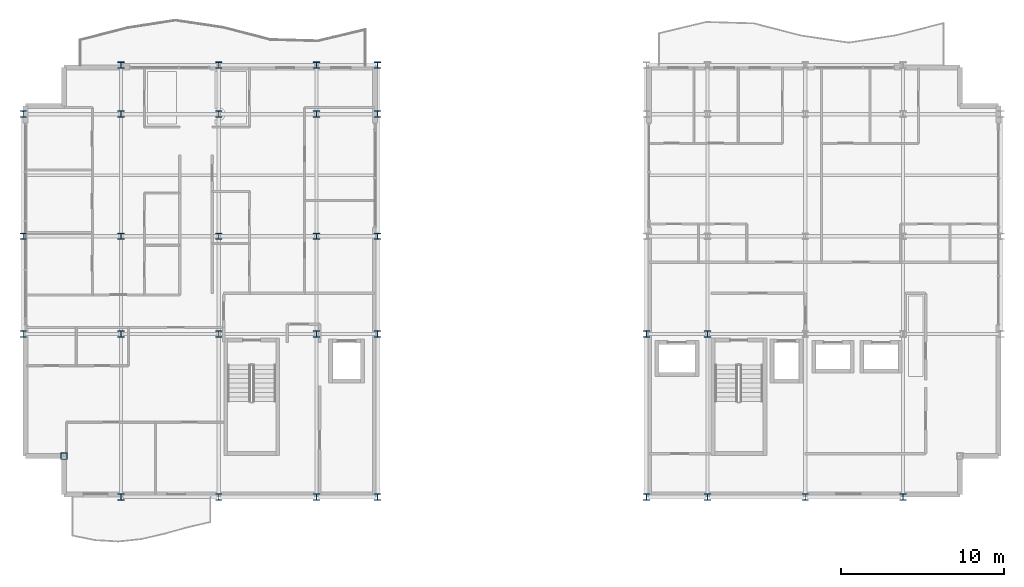
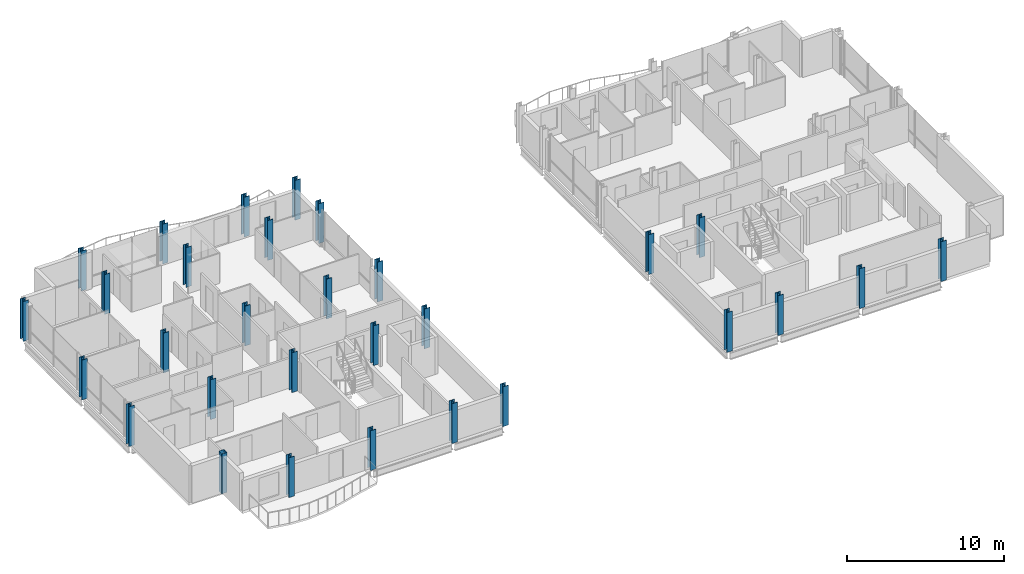
# One storey, part 1 of 27: 30 columns.
"""IFC4 building model written with IfcOpenShell, lengths in metres."""

from ifc_helpers import new_model, si_unit, direction, frame, origin, origin_2d, place, context, subcontext, project, spatial, hollow_rectangle, i_section, extrude, material, material_profile, profile_set, type_object, element, save


model = new_model("IFC4")

# Units and contexts
model_context = context("Model", 3, precision=1e-05, world=origin(), true_north=direction((0.0, 1.0)))
body_context = subcontext(model_context, "Body", "Model", "MODEL_VIEW")
ifc_project = project(units=[si_unit("LENGTHUNIT", "METRE"), si_unit("AREAUNIT", "SQUARE_METRE"), si_unit("VOLUMEUNIT", "CUBIC_METRE"), si_unit("PLANEANGLEUNIT", "RADIAN"), si_unit("MASSUNIT", "GRAM", prefix="KILO")], contexts=[model_context])

# Site, building, storey
site_placement = place(None, origin())
site = spatial("IfcSite", under=ifc_project, at=site_placement, CompositionType="ELEMENT")
building_placement = place(site_placement, origin())
building = spatial("IfcBuilding", under=site, at=building_placement, Name="Brevholm Reach", CompositionType="ELEMENT")
storey_placement = place(building_placement, frame((0.0, 0.0, 195.60009765625)))
storey = spatial("IfcBuildingStorey", under=building, at=storey_placement, Name="L59", CompositionType="ELEMENT", Elevation=195.60009765625)

# Columns
ifc_material_1 = material(Name="Structural Steel S460NH", Category="steel")
ifc_material_profile_1 = material_profile(ifc_material_1, hollow_rectangle(XDim=0.39990234375, YDim=0.39990234375, WallThickness=0.02001953125, InnerFilletRadius=0.011962890625, OuterFilletRadius=0.02392578125, at=origin_2d()), Name="SHS 400x400x20")
ifc_profile_set_1 = profile_set([ifc_material_profile_1], Name="Structural Steel S460NH")
column_type_1 = type_object("IfcColumnType", Name="COL-SHS2", PredefinedType="COLUMN", material=ifc_profile_set_1)
column_placement = place(storey_placement, frame((2.5, 2.5, 0.0), z_axis=(0.0, 0.0, 1.0), x_axis=(1.0, 0.0, 0.0)))
element("IfcColumn", 1, at=column_placement, inside=storey, type_object=column_type_1, Name="L59 Column 04", PredefinedType="COLUMN", context=body_context, shape_type="SweptSolid", body=[
    extrude(hollow_rectangle(XDim=0.39990234375, YDim=0.39990234375, WallThickness=0.02001953125, InnerFilletRadius=0.011962890625, OuterFilletRadius=0.02392578125, at=origin_2d()), origin(), (0.0, 0.0, 1.0), 3.099853515625),
])
ifc_material_2 = material(Name="Structural Steel S355J2", Category="steel")
ifc_material_profile_2 = material_profile(ifc_material_2, i_section(OverallWidth=0.39892578125, OverallDepth=0.3935546875, WebThickness=0.022705078125, FlangeThickness=0.03662109375, FilletRadius=0.01513671875, at=origin_2d()), Name="UKC 356x406x287")
ifc_profile_set_2 = profile_set([ifc_material_profile_2], Name="Structural Steel S355J2")
column_type_2 = type_object("IfcColumnType", Name="COL-UC5B", PredefinedType="COLUMN", material=ifc_profile_set_2)
for number, where, z_axis, x_axis, name in (
    (2, (0.0, 10.0, 0.0), (0.0, 0.0, 1.0), (1.0, 0.0, 0.0), "L59 Column 01"),
    (3, (0.0, 16.0, 0.0), (0.0, 0.0, 1.0), (1.0, 0.0, 0.0), "L59 Column 02"),
    (4, (0.0, 23.5, 0.0), (0.0, 0.0, 1.0), (1.0, 0.0, 0.0), "L59 Column 03"),
    (5, (6.0, 0.0, 0.0), (0.0, 0.0, 1.0), (1.0, 0.0, 0.0), "L59 Column 05"),
    (6, (6.0, 10.0, 0.0), (0.0, 0.0, 1.0), (1.0, 0.0, 0.0), "L59 Column 06"),
    (7, (6.0, 16.0, 0.0), (0.0, 0.0, 1.0), (1.0, 0.0, 0.0), "L59 Column 07"),
    (8, (6.0, 23.5, 0.0), (0.0, 0.0, 1.0), (1.0, 0.0, 0.0), "L59 Column 08"),
    (9, (6.0, 26.5, 0.0), (0.0, 0.0, 1.0), (1.0, 0.0, 0.0), "L59 Column 09"),
    (10, (12.0, 0.0, 0.0), (0.0, 0.0, 1.0), (1.0, 0.0, 0.0), "L59 Column 10"),
    (11, (12.0, 10.0, 0.0), (0.0, 0.0, 1.0), (1.0, 0.0, 0.0), "L59 Column 11"),
    (12, (12.0, 16.0, 0.0), (0.0, 0.0, 1.0), (1.0, 0.0, 0.0), "L59 Column 12"),
    (13, (12.0, 23.5, 0.0), (0.0, 0.0, 1.0), (1.0, 0.0, 0.0), "L59 Column 13"),
    (14, (12.0, 26.5, 0.0), (0.0, 0.0, 1.0), (1.0, 0.0, 0.0), "L59 Column 14"),
    (15, (18.0, 0.0, 0.0), (0.0, 0.0, 1.0), (1.0, 0.0, 0.0), "L59 Column 15"),
    (16, (18.0, 10.0, 0.0), (0.0, 0.0, 1.0), (1.0, 0.0, 0.0), "L59 Column 16"),
    (17, (18.0, 16.0, 0.0), (0.0, 0.0, 1.0), (1.0, 0.0, 0.0), "L59 Column 17"),
    (18, (18.0, 23.5, 0.0), (0.0, 0.0, 1.0), (1.0, 0.0, 0.0), "L59 Column 18"),
    (19, (18.0, 26.5, 0.0), (0.0, 0.0, 1.0), (1.0, 0.0, 0.0), "L59 Column 19"),
    (20, (21.75, 0.0, 0.0), (0.0, 0.0, 1.0), (1.0, 0.0, 0.0), "L59 Column 20"),
    (21, (21.75, 10.0, 0.0), (0.0, 0.0, 1.0), (1.0, 0.0, 0.0), "L59 Column 21"),
    (22, (21.75, 16.0, 0.0), (0.0, 0.0, 1.0), (1.0, 0.0, 0.0), "L59 Column 22"),
    (23, (21.75, 23.5, 0.0), (0.0, 0.0, 1.0), (1.0, 0.0, 0.0), "L59 Column 23"),
    (24, (21.75, 26.5, 0.0), (0.0, 0.0, 1.0), (1.0, 0.0, 0.0), "L59 Column 24"),
    (25, (38.25, 0.0, 0.0), (0.0, 0.0, 1.0), (1.0, 0.0, 0.0), "L59 Column 25"),
    (26, (38.25, 10.0, 0.0), (0.0, 0.0, 1.0), (1.0, 0.0, 0.0), "L59 Column 26"),
    (27, (42.0, 0.0, 0.0), (0.0, 0.0, 1.0), (1.0, 0.0, 0.0), "L59 Column 30"),
    (28, (42.0, 10.0, 0.0), (0.0, 0.0, 1.0), (1.0, 0.0, 0.0), "L59 Column 31"),
    (29, (48.0, 0.0, 0.0), (0.0, 0.0, 1.0), (1.0, 0.0, 0.0), "L59 Column 35"),
    (30, (54.0, 0.0, 0.0), (0.0, 0.0, 1.0), (1.0, 0.0, 0.0), "L59 Column 40"),
):
    element("IfcColumn", number, at=place(storey_placement, frame(where, z_axis=z_axis, x_axis=x_axis)), inside=storey, type_object=column_type_2, Name=name, PredefinedType="COLUMN", context=body_context, shape_type="SweptSolid", body=[
        extrude(i_section(OverallWidth=0.39892578125, OverallDepth=0.3935546875, WebThickness=0.022705078125, FlangeThickness=0.03662109375, FilletRadius=0.01513671875, at=origin_2d()), origin(), (0.0, 0.0, 1.0), 3.099853515625),
    ])

save(model, "model.ifc")
